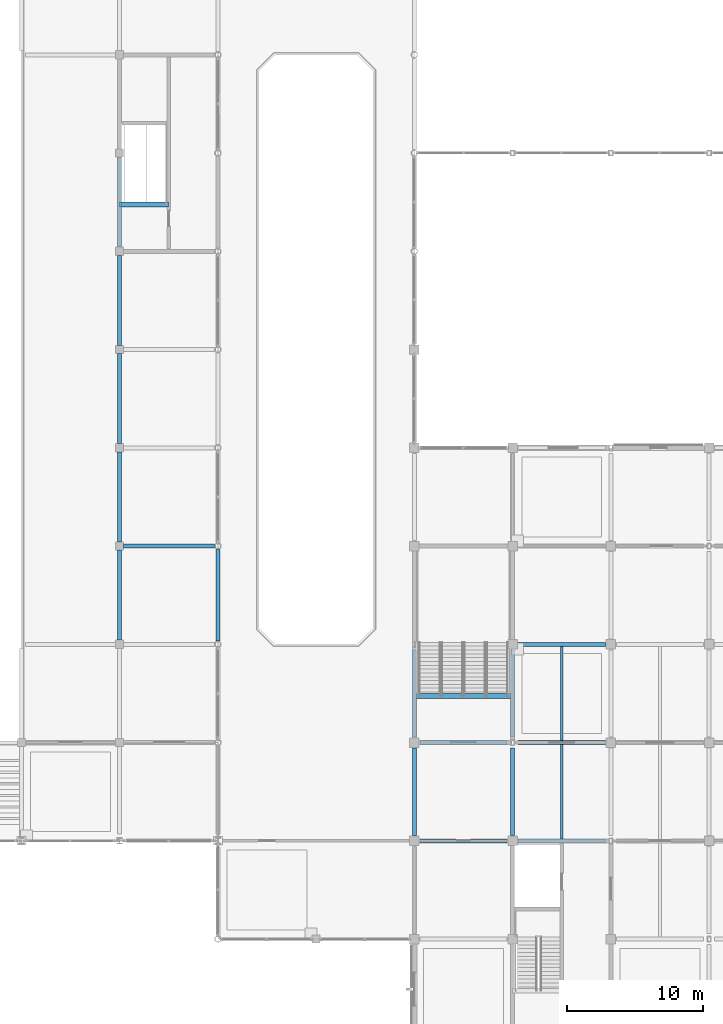
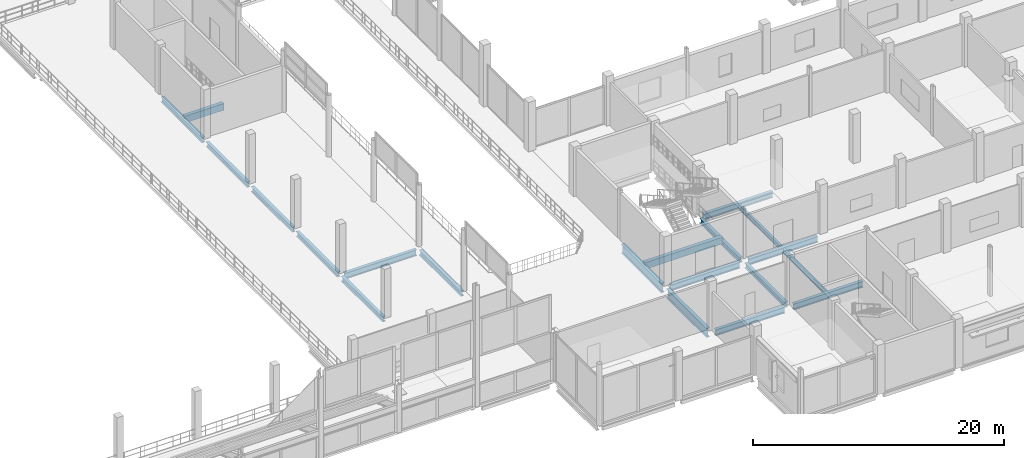
# One storey, part 34 of 120: 20 beams.
"""IFC4 building model written with IfcOpenShell, lengths in metres."""

from ifc_helpers import new_model, si_unit, direction, frame, origin, origin_2d, place, context, subcontext, project, spatial, rectangle, i_section, extrude, material, material_profile, profile_set, type_object, element, save


model = new_model("IFC4")

# Units and contexts
model_context = context("Model", 3, precision=1e-05, world=origin(), true_north=direction((0.0, 1.0)))
body_context = subcontext(model_context, "Body", "Model", "MODEL_VIEW")
ifc_project = project(units=[si_unit("LENGTHUNIT", "METRE"), si_unit("AREAUNIT", "SQUARE_METRE"), si_unit("VOLUMEUNIT", "CUBIC_METRE"), si_unit("PLANEANGLEUNIT", "RADIAN"), si_unit("MASSUNIT", "GRAM", prefix="KILO")], contexts=[model_context])

# Site, building, storey
site_placement = place(None, origin())
site = spatial("IfcSite", under=ifc_project, at=site_placement, CompositionType="ELEMENT")
building_placement = place(site_placement, origin())
building = spatial("IfcBuilding", under=site, at=building_placement, Name="Vesperath Aquatics Centre", CompositionType="ELEMENT")
storey_placement = place(building_placement, frame((0.0, 0.0, 10.199951171875)))
storey = spatial("IfcBuildingStorey", under=building, at=storey_placement, Name="L02", CompositionType="ELEMENT", Elevation=10.199951171875)

# Beams
ifc_material_1 = material(Name="Concrete C35", Category="concrete")
ifc_material_profile_1 = material_profile(ifc_material_1, rectangle(XDim=0.35009765625, YDim=0.64990234375, at=origin_2d()), Name="RC 350x650")
ifc_profile_set_1 = profile_set([ifc_material_profile_1], Name="Concrete C35")
beam_type_1 = type_object("IfcBeamType", Name="BM-G05", PredefinedType="BEAM", material=ifc_profile_set_1)
beam_1_placement = place(storey_placement, frame((93.60009765625, 61.02001953125, -0.324951171875), z_axis=(1.0, 0.0, 0.0), x_axis=(0.0, 1.0, 0.0)))
element("IfcBeam", 1, at=beam_1_placement, inside=storey, type_object=beam_type_1, Name="Stair ST8 Landing Trimmer Beam B05 L02", PredefinedType="BEAM", context=body_context, shape_type="SweptSolid", body=[
    extrude(rectangle(XDim=0.35009765625, YDim=0.64990234375, at=origin_2d()), origin(), (0.0, 0.0, 1.0), 3.599853515625),
])
beam_2_placement = place(storey_placement, frame((115.199951171875, 25.02001953125, -0.324951171875), z_axis=(1.0, 0.0, 0.0), x_axis=(0.0, 1.0, 0.0)))
element("IfcBeam", 2, at=beam_2_placement, inside=storey, type_object=beam_type_1, Name="Stair ST7 Landing Trimmer Beam B05 L02", PredefinedType="BEAM", context=body_context, shape_type="SweptSolid", body=[
    extrude(rectangle(XDim=0.35009765625, YDim=0.64990234375, at=origin_2d()), origin(), (0.0, 0.0, 1.0), 7.199951171875),
])
ifc_material_2 = material(Name="Steel Q355D", Category="steel")
ifc_material_profile_2 = material_profile(ifc_material_2, i_section(OverallWidth=0.300048828125, OverallDepth=0.89990234375, WebThickness=0.01611328125, FlangeThickness=0.028076171875, FilletRadius=0.028076171875, at=origin_2d()), Name="HN 900x300x16x28")
ifc_profile_set_2 = profile_set([ifc_material_profile_2], Name="Steel Q355D")
beam_type_2 = type_object("IfcBeamType", Name="BM-G06", PredefinedType="BEAM", material=ifc_profile_set_2)
for number, where, z_axis, x_axis, name in (
    (3, (115.199951171875, 14.800048828125, -0.7099609375), (0.0, 1.0, 0.0), (-1.0, 0.0, 0.0), "Floor Girder B06 L02 17 C-D"),
    (4, (115.199951171875, 22.0, -0.7099609375), (0.0, 1.0, 0.0), (-1.0, 0.0, 0.0), "Floor Girder B06 L02 17 D-E"),
):
    element("IfcBeam", number, at=place(storey_placement, frame(where, z_axis=z_axis, x_axis=x_axis)), inside=storey, type_object=beam_type_2, Name=name, PredefinedType="BEAM", context=body_context, shape_type="SweptSolid", body=[
        extrude(i_section(OverallWidth=0.300048828125, OverallDepth=0.89990234375, WebThickness=0.01611328125, FlangeThickness=0.028076171875, FilletRadius=0.028076171875, at=origin_2d()), origin(), (0.0, 0.0, 1.0), 6.39990234375),
    ])
ifc_material_3 = material(Name="Steel Q355C", Category="steel")
ifc_material_profile_3 = material_profile(ifc_material_3, i_section(OverallWidth=0.300048828125, OverallDepth=0.587890625, WebThickness=0.011962890625, FlangeThickness=0.02001953125, FilletRadius=0.028076171875, at=origin_2d()), Name="HM 588x300x12x20")
ifc_profile_set_3 = profile_set([ifc_material_profile_3], Name="Steel Q355C")
beam_type_3 = type_object("IfcBeamType", Name="BM-G09", PredefinedType="BEAM", material=ifc_profile_set_3)
beam_3_placement = place(storey_placement, frame((93.89990234375, 36.0, -0.553955078125), z_axis=(1.0, 0.0, 0.0), x_axis=(0.0, 1.0, 0.0)))
element("IfcBeam", 5, at=beam_3_placement, inside=storey, type_object=beam_type_3, Name="Floor Girder B09 L02 F 14-15", PredefinedType="BEAM", context=body_context, shape_type="SweptSolid", body=[
    extrude(i_section(OverallWidth=0.300048828125, OverallDepth=0.587890625, WebThickness=0.011962890625, FlangeThickness=0.02001953125, FilletRadius=0.028076171875, at=origin_2d()), origin(), (0.0, 0.0, 1.0), 6.64599609375),
])
for number, where, z_axis, x_axis, name in (
    (6, (115.60009765625, 14.39990234375, -0.553955078125), (1.0, 0.0, 0.0), (0.0, 1.0, 0.0), "Floor Girder B09 L02 C 17-18"),
    (7, (115.60009765625, 21.60009765625, -0.553955078125), (1.0, 0.0, 0.0), (0.0, 1.0, 0.0), "Floor Girder B09 L02 D 17-18"),
    (8, (122.800048828125, 14.39990234375, -0.553955078125), (1.0, 0.0, 0.0), (0.0, 1.0, 0.0), "Floor Girder B09 L02 C 18-19"),
    (9, (122.800048828125, 21.60009765625, -0.553955078125), (1.0, 0.0, 0.0), (0.0, 1.0, 0.0), "Floor Girder B09 L02 D 18-19"),
    (10, (122.800048828125, 28.800048828125, -0.553955078125), (1.0, 0.0, 0.0), (0.0, 1.0, 0.0), "Floor Girder B09 L02 E 18-19"),
):
    element("IfcBeam", number, at=place(storey_placement, frame(where, z_axis=z_axis, x_axis=x_axis)), inside=storey, type_object=beam_type_3, Name=name, PredefinedType="BEAM", context=body_context, shape_type="SweptSolid", body=[
        extrude(i_section(OverallWidth=0.300048828125, OverallDepth=0.587890625, WebThickness=0.011962890625, FlangeThickness=0.02001953125, FilletRadius=0.028076171875, at=origin_2d()), origin(), (0.0, 0.0, 1.0), 6.39990234375),
    ])
ifc_material_profile_4 = material_profile(ifc_material_3, i_section(OverallWidth=0.300048828125, OverallDepth=0.488037109375, WebThickness=0.010986328125, FlangeThickness=0.01806640625, FilletRadius=0.02587890625, at=origin_2d()), Name="HM 488x300x11x18")
ifc_profile_set_4 = profile_set([ifc_material_profile_4], Name="Steel Q355C")
beam_type_4 = type_object("IfcBeamType", Name="BM-G10", PredefinedType="BEAM", material=ifc_profile_set_4)
for number, where, z_axis, x_axis, name in (
    (11, (93.60009765625, 29.10009765625, -0.50390625), (0.0, 1.0, 0.0), (-1.0, 0.0, 0.0), "Floor Girder B10 L02 14 E-F"),
    (12, (93.60009765625, 36.300048828125, -0.50390625), (0.0, 1.0, 0.0), (-1.0, 0.0, 0.0), "Floor Girder B10 L02 14 F-G"),
):
    element("IfcBeam", number, at=place(storey_placement, frame(where, z_axis=z_axis, x_axis=x_axis)), inside=storey, type_object=beam_type_4, Name=name, PredefinedType="BEAM", context=body_context, shape_type="SweptSolid", body=[
        extrude(i_section(OverallWidth=0.300048828125, OverallDepth=0.488037109375, WebThickness=0.010986328125, FlangeThickness=0.01806640625, FilletRadius=0.02587890625, at=origin_2d()), origin(), (0.0, 0.0, 1.0), 6.599853515625),
    ])
for number, where, z_axis, x_axis, name in (
    (13, (93.60009765625, 43.5, -0.50390625), (0.0, 1.0, 0.0), (-1.0, 0.0, 0.0), "Floor Girder B10 L02 14 G-H"),
    (14, (93.60009765625, 50.699951171875, -0.50390625), (0.0, 1.0, 0.0), (-1.0, 0.0, 0.0), "Floor Girder B10 L02 14 H-J"),
    (15, (93.60009765625, 57.89990234375, -0.50390625), (0.0, 1.0, 0.0), (-1.0, 0.0, 0.0), "Floor Girder B10 L02 14 J-K"),
):
    element("IfcBeam", number, at=place(storey_placement, frame(where, z_axis=z_axis, x_axis=x_axis)), inside=storey, type_object=beam_type_4, Name=name, PredefinedType="BEAM", context=body_context, shape_type="SweptSolid", body=[
        extrude(i_section(OverallWidth=0.300048828125, OverallDepth=0.488037109375, WebThickness=0.010986328125, FlangeThickness=0.01806640625, FilletRadius=0.02587890625, at=origin_2d()), origin(), (0.0, 0.0, 1.0), 6.60009765625),
    ])
beam_4_placement = place(storey_placement, frame((100.800048828125, 29.053955078125, -0.50390625), z_axis=(0.0, 1.0, 0.0), x_axis=(-1.0, 0.0, 0.0)))
element("IfcBeam", 16, at=beam_4_placement, inside=storey, type_object=beam_type_4, Name="Floor Girder B10 L02 15 E-F", PredefinedType="BEAM", context=body_context, shape_type="SweptSolid", body=[
    extrude(i_section(OverallWidth=0.300048828125, OverallDepth=0.488037109375, WebThickness=0.010986328125, FlangeThickness=0.01806640625, FilletRadius=0.02587890625, at=origin_2d()), origin(), (0.0, 0.0, 1.0), 6.692138671875),
])
for number, where, z_axis, x_axis, name in (
    (17, (122.39990234375, 14.800048828125, -0.50390625), (0.0, 1.0, 0.0), (-1.0, 0.0, 0.0), "Floor Girder B10 L02 18 C-D"),
    (18, (122.39990234375, 22.0, -0.50390625), (0.0, 1.0, 0.0), (-1.0, 0.0, 0.0), "Floor Girder B10 L02 18 D-E"),
):
    element("IfcBeam", number, at=place(storey_placement, frame(where, z_axis=z_axis, x_axis=x_axis)), inside=storey, type_object=beam_type_4, Name=name, PredefinedType="BEAM", context=body_context, shape_type="SweptSolid", body=[
        extrude(i_section(OverallWidth=0.300048828125, OverallDepth=0.488037109375, WebThickness=0.010986328125, FlangeThickness=0.01806640625, FilletRadius=0.02587890625, at=origin_2d()), origin(), (0.0, 0.0, 1.0), 6.39990234375),
    ])
ifc_material_profile_5 = material_profile(ifc_material_3, i_section(OverallWidth=0.199951171875, OverallDepth=0.449951171875, WebThickness=0.009033203125, FlangeThickness=0.013916015625, FilletRadius=0.01611328125, at=origin_2d()), Name="HN 450x200x9x14")
ifc_profile_set_5 = profile_set([ifc_material_profile_5], Name="Steel Q355C")
beam_type_5 = type_object("IfcBeamType", Name="BM-J03", PredefinedType="JOIST", material=ifc_profile_set_5)
for number, where, z_axis, x_axis, name in (
    (19, (126.0, 14.550048828125, -0.48486328125), (0.0, 1.0, 0.0), (-1.0, 0.0, 0.0), "Secondary Floor Joist J03 L02 18/C"),
    (20, (126.0, 21.75, -0.48486328125), (0.0, 1.0, 0.0), (-1.0, 0.0, 0.0), "Secondary Floor Joist J03 L02 18/D"),
):
    element("IfcBeam", number, at=place(storey_placement, frame(where, z_axis=z_axis, x_axis=x_axis)), inside=storey, type_object=beam_type_5, Name=name, PredefinedType="JOIST", context=body_context, shape_type="SweptSolid", body=[
        extrude(i_section(OverallWidth=0.199951171875, OverallDepth=0.449951171875, WebThickness=0.009033203125, FlangeThickness=0.013916015625, FilletRadius=0.01611328125, at=origin_2d()), origin(), (0.0, 0.0, 1.0), 6.89990234375),
    ])

save(model, "model.ifc")
